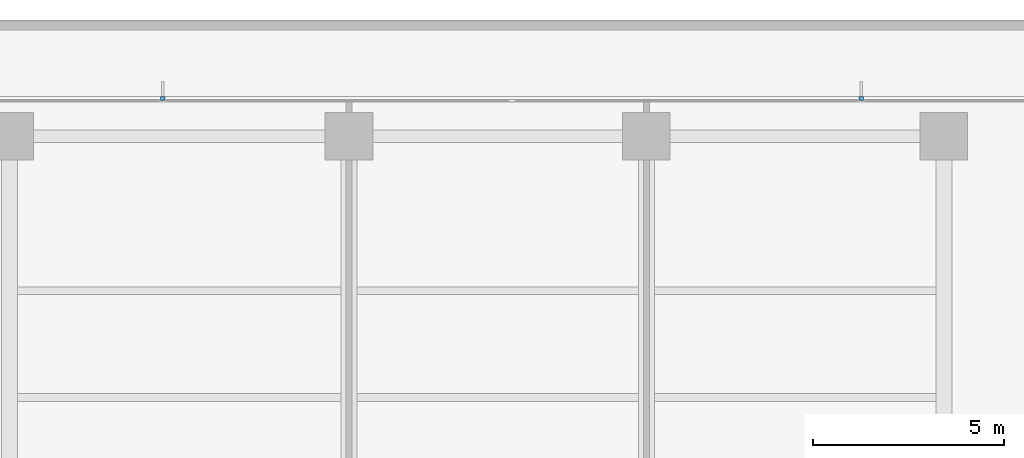
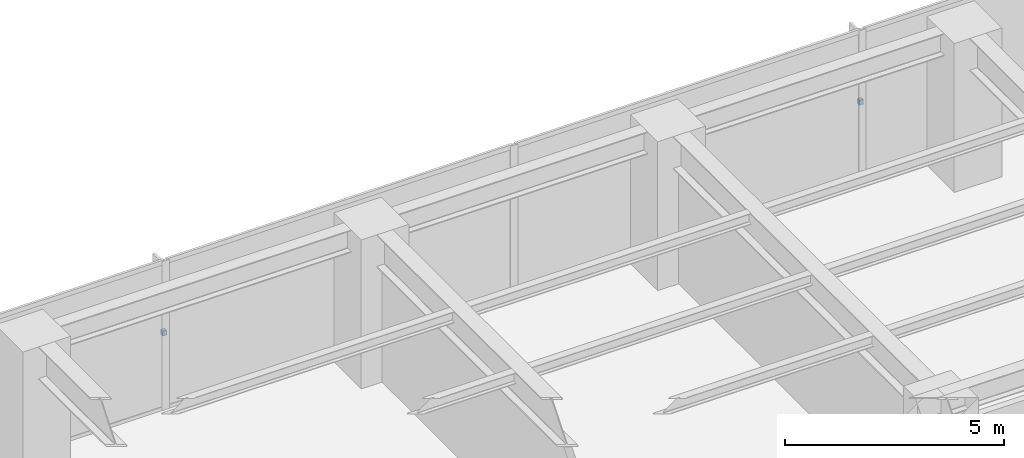
# One storey, part 14 of 16: 2 discrete accessories.
"""IFC4 building model written with IfcOpenShell, lengths in metres."""

from ifc_helpers import new_model, si_unit, direction, frame, origin, place, context, subcontext, project, spatial, polyline, outline, extrude, material, type_object, element, save


model = new_model("IFC4")

# Units and contexts
model_context = context("Model", 3, precision=1e-05, world=origin(), true_north=direction((0.0, 1.0)))
body_context = subcontext(model_context, "Body", "Model", "MODEL_VIEW")
ifc_project = project(units=[si_unit("LENGTHUNIT", "METRE"), si_unit("AREAUNIT", "SQUARE_METRE"), si_unit("VOLUMEUNIT", "CUBIC_METRE"), si_unit("PLANEANGLEUNIT", "RADIAN"), si_unit("MASSUNIT", "GRAM", prefix="KILO")], contexts=[model_context])

# Site, building, storey
site_placement = place(None, origin())
site = spatial("IfcSite", under=ifc_project, at=site_placement, CompositionType="ELEMENT")
building_placement = place(site_placement, origin())
building = spatial("IfcBuilding", under=site, at=building_placement, Name="Qalmaran Belvedere Hotel", CompositionType="ELEMENT")
storey_placement = place(building_placement, frame((0.0, 0.0, 83.800048828125)))
storey = spatial("IfcBuildingStorey", under=building, at=storey_placement, Name="L20", CompositionType="ELEMENT", Elevation=83.800048828125)

# Discrete accessories
ifc_material = material(Name="Stainless Steel 1.4401", Category="steel")
discrete_accessory_type = type_object("IfcDiscreteAccessoryType", Name="BRK-FIN-SS316", PredefinedType="BRACKET", material=ifc_material)
discrete_accessory_1_placement = place(storey_placement, frame((0.0, 0.0, 2.02001953125)))
element("IfcDiscreteAccessory", 1, at=discrete_accessory_1_placement, inside=storey, type_object=discrete_accessory_type, Name="L20 Fin Bracket 1", PredefinedType="BRACKET", context=body_context, shape_type="SweptSolid", body=[
    extrude(outline(polyline([(42.6923828125, 46.39501953125), (42.6923828125, 46.489990234375), (42.58251953125, 46.489990234375), (42.58251953125, 46.39501953125), (42.6923828125, 46.39501953125)])), origin(), (0.0, 0.0, 1.0), 0.139892578125),
])
discrete_accessory_2_placement = place(storey_placement, frame((0.0, 0.0, 2.02001953125)))
element("IfcDiscreteAccessory", 2, at=discrete_accessory_2_placement, inside=storey, type_object=discrete_accessory_type, Name="L20 Fin Bracket 3", PredefinedType="BRACKET", context=body_context, shape_type="SweptSolid", body=[
    extrude(outline(polyline([(24.367431640625, 46.39501953125), (24.367431640625, 46.489990234375), (24.257568359375, 46.489990234375), (24.257568359375, 46.39501953125), (24.367431640625, 46.39501953125)])), origin(), (0.0, 0.0, 1.0), 0.139892578125),
])

save(model, "model.ifc")
